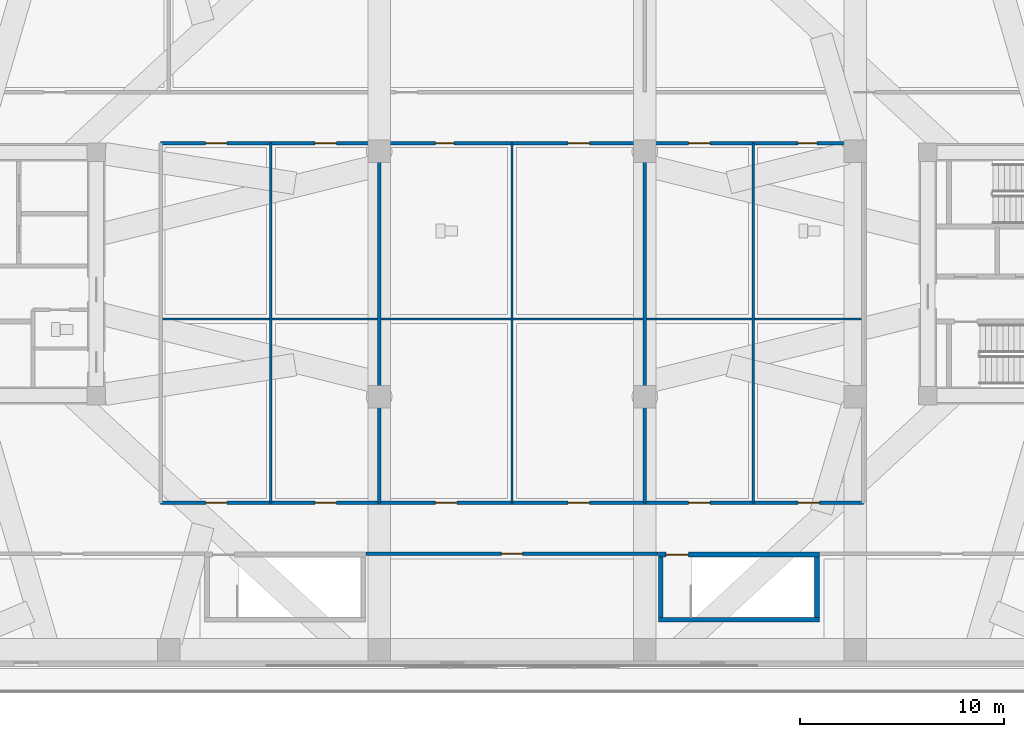
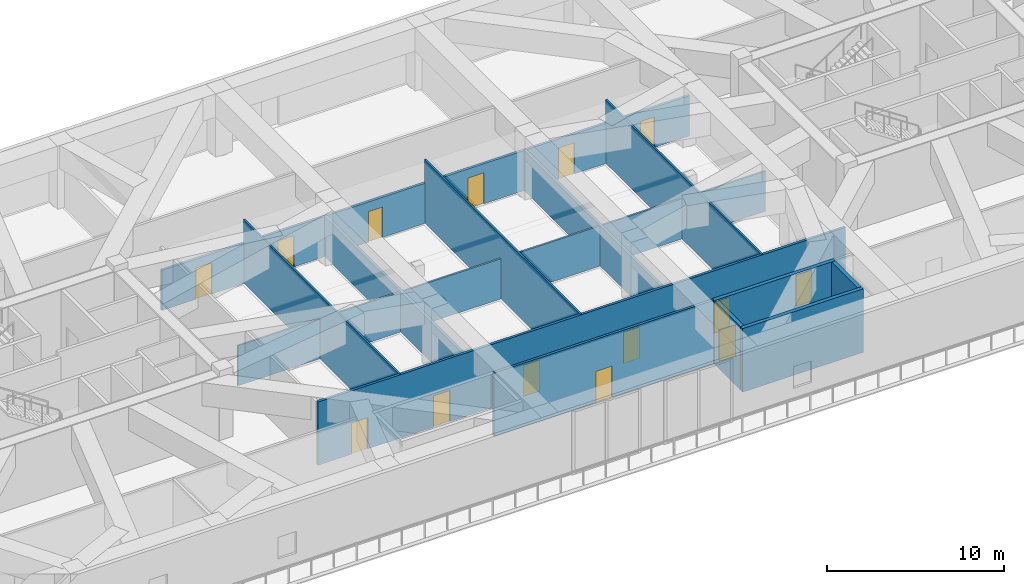
# One storey, part 8 of 21: 14 doors, 13 walls, 14 openings.
"""IFC4 building model written with IfcOpenShell, lengths in metres."""

from ifc_helpers import new_model, si_unit, direction, frame, frame_2d, origin, place, context, subcontext, project, spatial, rectangle, extrude, source, transform, mapped, material, layer, layer_set, type_object, type_shapes, element, fill, save


model = new_model("IFC4")

# Units and contexts
model_context = context("Model", 3, precision=1e-05, world=origin(), true_north=direction((0.0, 1.0)))
body_context = subcontext(model_context, "Body", "Model", "MODEL_VIEW")
ifc_project = project(units=[si_unit("LENGTHUNIT", "METRE"), si_unit("AREAUNIT", "SQUARE_METRE"), si_unit("VOLUMEUNIT", "CUBIC_METRE"), si_unit("PLANEANGLEUNIT", "RADIAN"), si_unit("MASSUNIT", "GRAM", prefix="KILO")], contexts=[model_context])

# Site, building, storey
site_placement = place(None, origin())
site = spatial("IfcSite", under=ifc_project, at=site_placement, CompositionType="ELEMENT")
building_placement = place(site_placement, origin())
building = spatial("IfcBuilding", under=site, at=building_placement, Name="Norrkilde Senior Care Towers", CompositionType="ELEMENT")
storey_placement = place(building_placement, frame((0.0, 0.0, 16.800048828125)))
storey = spatial("IfcBuildingStorey", under=building, at=storey_placement, Name="L04", CompositionType="ELEMENT", Elevation=16.800048828125)

# Wall, opening, door
ifc_material_1 = material(Name="Concrete C45/55", Category="concrete")
ifc_layer_1 = layer(ifc_material_1, 0.239990234375)
ifc_layer_set_1 = layer_set([ifc_layer_1], Name="Concrete C45/55")
wall_type_1 = type_object("IfcWallType", Name="Shaft and Stair Enclosure Wall 240", PredefinedType="PARTITIONING", material=ifc_layer_set_1)
shared_shape_1 = source(origin(), body_context, "Body", "SweptSolid", [
    extrude(rectangle(XDim=7.880126953125, YDim=0.239990234375, at=frame_2d((3.93994140625, 0.0))), origin(), (0.0, 0.0, 1.0), 4.3798828125),
])
wall_1_placement = place(storey_placement, frame((7.159912109375, -13.72998046875, 0.0), z_axis=(0.0, 0.0, 1.0), x_axis=(1.0, 0.0, 0.0)))
wall_1 = element("IfcWall", 1, at=wall_1_placement, inside=storey, type_object=wall_type_1, Name="WL-INT-L04-STP2-N", PredefinedType="PARTITIONING", context=body_context, shape_type="MappedRepresentation", body=[
    mapped(shared_shape_1, transform((0.0, 0.0, 0.0), x_axis=(1.0, 0.0, 0.0), y_axis=(0.0, 1.0, 0.0), z_axis=(0.0, 0.0, 1.0), scale=1.0)),
])
opening_1_placement = place(wall_1_placement, frame((0.3701171875, 0.0, 0.0)))
opening_1 = element("IfcOpeningElement", 2, at=opening_1_placement, cuts=wall_1, Name="Opening D-03", PredefinedType="OPENING", context=body_context, shape_type="SweptSolid", body=[
    extrude(rectangle(XDim=1.10009765625, YDim=2.14990234375, at=frame_2d((0.550048828125, 1.074951171875))), frame((0.0, 0.1298828125, 0.0), z_axis=(0.0, -1.0, 0.0), x_axis=(1.0, 0.0, 0.0)), (0.0, 0.0, 1.0), 0.260009765625),
])
ifc_material_2 = material(Name="Galvanised Painted Steel", Category="steel")
door_type_1 = type_object("IfcDoorType", Name="Stairwell Protected Fire Door 1100x2150", OperationType="NOTDEFINED", PredefinedType="DOOR", material=ifc_material_2)
shared_shape_2 = source(origin(), body_context, "Body", "SweptSolid", [
    extrude(rectangle(XDim=1.10009765625, YDim=2.14990234375, at=frame_2d((0.550048828125, 1.074951171875))), frame((0.0, 0.02490234375, 0.0), z_axis=(0.0, -1.0, 0.0), x_axis=(1.0, 0.0, 0.0)), (0.0, 0.0, 1.0), 0.050048828125),
])
type_shapes(door_type_1, [shared_shape_2])
door_1_placement = place(opening_1_placement, origin())
door_1 = element("IfcDoor", 3, at=door_1_placement, inside=storey, type_object=door_type_1, Name="L04 Podium Stair P2 Door", OperationType="SINGLE_SWING_LEFT", OverallHeight=2.14990234375, OverallWidth=1.10009765625, PredefinedType="DOOR", context=body_context, shape_type="MappedRepresentation", body=[
    mapped(shared_shape_2, transform((0.0, 0.0, 0.0), x_axis=(1.0, 0.0, 0.0), y_axis=(0.0, 1.0, 0.0), z_axis=(0.0, 0.0, 1.0), scale=1.0)),
])
fill(opening_1, door_1)

# Walls
wall_2_placement = place(storey_placement, frame((7.159912109375, -16.919921875, 0.0), z_axis=(0.0, 0.0, 1.0), x_axis=(1.0, 0.0, 0.0)))
element("IfcWall", 4, at=wall_2_placement, inside=storey, type_object=wall_type_1, Name="WL-INT-L04-STP2-S", PredefinedType="PARTITIONING", context=body_context, shape_type="MappedRepresentation", body=[
    mapped(shared_shape_1, transform((0.0, 0.0, 0.0), x_axis=(1.0, 0.0, 0.0), y_axis=(0.0, 1.0, 0.0), z_axis=(0.0, 0.0, 1.0), scale=1.0)),
])
shared_shape_3 = source(origin(), body_context, "Body", "SweptSolid", [
    extrude(rectangle(XDim=2.949951171875, YDim=0.239990234375, at=frame_2d((1.47509765625, 0.0))), origin(), (0.0, 0.0, 1.0), 4.3798828125),
])
type_shapes(wall_type_1, [shared_shape_1, shared_shape_3])
for number, where, z_axis, x_axis, name in (
    (5, (7.280029296875, -16.800048828125, 0.0), (0.0, 0.0, 1.0), (0.0, 1.0, 0.0), "WL-INT-L04-STP2-W"),
    (6, (14.919921875, -16.800048828125, 0.0), (0.0, 0.0, 1.0), (0.0, 1.0, 0.0), "WL-INT-L04-STP2-E"),
):
    element("IfcWall", number, at=place(storey_placement, frame(where, z_axis=z_axis, x_axis=x_axis)), inside=storey, type_object=wall_type_1, Name=name, PredefinedType="PARTITIONING", context=body_context, shape_type="MappedRepresentation", body=[
        mapped(shared_shape_3, transform((0.0, 0.0, 0.0), x_axis=(1.0, 0.0, 0.0), y_axis=(0.0, 1.0, 0.0), z_axis=(0.0, 0.0, 1.0), scale=1.0)),
    ])

# Wall, openings, doors
ifc_material_3 = material(Name="Gypsum Acoustic Board")
ifc_layer_2 = layer(ifc_material_3, 0.1650390625)
ifc_layer_set_2 = layer_set([ifc_layer_2], Name="Gypsum Acoustic Board")
wall_type_2 = type_object("IfcWallType", Name="Corridor Rated Partition 165", PredefinedType="PARTITIONING", material=ifc_layer_set_2)
shared_shape_4 = source(origin(), body_context, "Body", "SweptSolid", [
    extrude(rectangle(XDim=34.39990234375, YDim=0.1650390625, at=frame_2d((17.199951171875, 0.0))), origin(), (0.0, 0.0, 1.0), 4.364990234375),
])
wall_3_placement = place(storey_placement, frame((-17.199951171875, -11.199951171875, 0.0), z_axis=(0.0, 0.0, 1.0), x_axis=(1.0, 0.0, 0.0)))
wall_3 = element("IfcWall", 7, at=wall_3_placement, inside=storey, type_object=wall_type_2, Name="WL-INT-L04-POD-CS", PredefinedType="PARTITIONING", context=body_context, shape_type="MappedRepresentation", body=[
    mapped(shared_shape_4, transform((0.0, 0.0, 0.0), x_axis=(1.0, 0.0, 0.0), y_axis=(0.0, 1.0, 0.0), z_axis=(0.0, 0.0, 1.0), scale=1.0)),
])
opening_2_placement = place(wall_3_placement, frame((2.199951171875, 0.0, 0.0)))
opening_2 = element("IfcOpeningElement", 8, at=opening_2_placement, cuts=wall_3, Name="Opening D-06", PredefinedType="OPENING", context=body_context, shape_type="SweptSolid", body=[
    extrude(rectangle(XDim=1.050048828125, YDim=2.14990234375, at=frame_2d((0.52490234375, 1.074951171875))), frame((0.0, 0.092529296875, 0.0), z_axis=(0.0, -1.0, 0.0), x_axis=(1.0, 0.0, 0.0)), (0.0, 0.0, 1.0), 0.18505859375),
])
opening_3_placement = place(wall_3_placement, frame((7.550048828125, 0.0, 0.0)))
opening_3 = element("IfcOpeningElement", 9, at=opening_3_placement, cuts=wall_3, Name="Opening D-06", PredefinedType="OPENING", context=body_context, shape_type="SweptSolid", body=[
    extrude(rectangle(XDim=1.050048828125, YDim=2.14990234375, at=frame_2d((0.52490234375, 1.074951171875))), frame((0.0, 0.092529296875, 0.0), z_axis=(0.0, -1.0, 0.0), x_axis=(1.0, 0.0, 0.0)), (0.0, 0.0, 1.0), 0.18505859375),
])
opening_4_placement = place(wall_3_placement, frame((13.449951171875, 0.0, 0.0)))
opening_4 = element("IfcOpeningElement", 10, at=opening_4_placement, cuts=wall_3, Name="Opening D-06", PredefinedType="OPENING", context=body_context, shape_type="SweptSolid", body=[
    extrude(rectangle(XDim=1.050048828125, YDim=2.14990234375, at=frame_2d((0.52490234375, 1.074951171875))), frame((0.0, 0.092529296875, 0.0), z_axis=(0.0, -1.0, 0.0), x_axis=(1.0, 0.0, 0.0)), (0.0, 0.0, 1.0), 0.18505859375),
])
opening_5_placement = place(wall_3_placement, frame((19.949951171875, 0.0, 0.0)))
opening_5 = element("IfcOpeningElement", 11, at=opening_5_placement, cuts=wall_3, Name="Opening D-06", PredefinedType="OPENING", context=body_context, shape_type="SweptSolid", body=[
    extrude(rectangle(XDim=1.050048828125, YDim=2.14990234375, at=frame_2d((0.52490234375, 1.074951171875))), frame((0.0, 0.092529296875, 0.0), z_axis=(0.0, -1.0, 0.0), x_axis=(1.0, 0.0, 0.0)), (0.0, 0.0, 1.0), 0.18505859375),
])
opening_6_placement = place(wall_3_placement, frame((25.85009765625, 0.0, 0.0)))
opening_6 = element("IfcOpeningElement", 12, at=opening_6_placement, cuts=wall_3, Name="Opening D-06", PredefinedType="OPENING", context=body_context, shape_type="SweptSolid", body=[
    extrude(rectangle(XDim=1.050048828125, YDim=2.14990234375, at=frame_2d((0.52490234375, 1.074951171875))), frame((0.0, 0.092529296875, 0.0), z_axis=(0.0, -1.0, 0.0), x_axis=(1.0, 0.0, 0.0)), (0.0, 0.0, 1.0), 0.18505859375),
])
opening_7_placement = place(wall_3_placement, frame((31.199951171875, 0.0, 0.0)))
opening_7 = element("IfcOpeningElement", 13, at=opening_7_placement, cuts=wall_3, Name="Opening D-06", PredefinedType="OPENING", context=body_context, shape_type="SweptSolid", body=[
    extrude(rectangle(XDim=1.050048828125, YDim=2.14990234375, at=frame_2d((0.52490234375, 1.074951171875))), frame((0.0, 0.092529296875, 0.0), z_axis=(0.0, -1.0, 0.0), x_axis=(1.0, 0.0, 0.0)), (0.0, 0.0, 1.0), 0.18505859375),
])
ifc_material_4 = material(Name="Nordic Ash Timber", Category="wood")
door_type_2 = type_object("IfcDoorType", Name="Apartment Entrance Fire Door 1050x2150", OperationType="NOTDEFINED", PredefinedType="DOOR", material=ifc_material_4)
shared_shape_5 = source(origin(), body_context, "Body", "SweptSolid", [
    extrude(rectangle(XDim=1.050048828125, YDim=2.14990234375, at=frame_2d((0.52490234375, 1.074951171875))), frame((0.0, 0.02490234375, 0.0), z_axis=(0.0, -1.0, 0.0), x_axis=(1.0, 0.0, 0.0)), (0.0, 0.0, 1.0), 0.050048828125),
])
type_shapes(door_type_2, [shared_shape_5])
door_2_placement = place(opening_2_placement, origin())
door_2 = element("IfcDoor", 14, at=door_2_placement, inside=storey, type_object=door_type_2, Name="L04 Occupational Therapy Kitchen Door", OperationType="SINGLE_SWING_LEFT", OverallHeight=2.14990234375, OverallWidth=1.050048828125, PredefinedType="DOOR", context=body_context, shape_type="MappedRepresentation", body=[
    mapped(shared_shape_5, transform((0.0, 0.0, 0.0), x_axis=(1.0, 0.0, 0.0), y_axis=(0.0, 1.0, 0.0), z_axis=(0.0, 0.0, 1.0), scale=1.0)),
])
fill(opening_2, door_2)
door_3_placement = place(opening_3_placement, origin())
door_3 = element("IfcDoor", 15, at=door_3_placement, inside=storey, type_object=door_type_2, Name="L04 Senior Communal Dining Salon Door", OperationType="SINGLE_SWING_LEFT", OverallHeight=2.14990234375, OverallWidth=1.050048828125, PredefinedType="DOOR", context=body_context, shape_type="MappedRepresentation", body=[
    mapped(shared_shape_5, transform((0.0, 0.0, 0.0), x_axis=(1.0, 0.0, 0.0), y_axis=(0.0, 1.0, 0.0), z_axis=(0.0, 0.0, 1.0), scale=1.0)),
])
fill(opening_3, door_3)
door_4_placement = place(opening_4_placement, origin())
door_4 = element("IfcDoor", 16, at=door_4_placement, inside=storey, type_object=door_type_2, Name="L04 Case Management Office Door", OperationType="SINGLE_SWING_LEFT", OverallHeight=2.14990234375, OverallWidth=1.050048828125, PredefinedType="DOOR", context=body_context, shape_type="MappedRepresentation", body=[
    mapped(shared_shape_5, transform((0.0, 0.0, 0.0), x_axis=(1.0, 0.0, 0.0), y_axis=(0.0, 1.0, 0.0), z_axis=(0.0, 0.0, 1.0), scale=1.0)),
])
fill(opening_4, door_4)
door_5_placement = place(opening_5_placement, origin())
door_5 = element("IfcDoor", 17, at=door_5_placement, inside=storey, type_object=door_type_2, Name="L04 Art and Music Therapy Lounge Door", OperationType="SINGLE_SWING_LEFT", OverallHeight=2.14990234375, OverallWidth=1.050048828125, PredefinedType="DOOR", context=body_context, shape_type="MappedRepresentation", body=[
    mapped(shared_shape_5, transform((0.0, 0.0, 0.0), x_axis=(1.0, 0.0, 0.0), y_axis=(0.0, 1.0, 0.0), z_axis=(0.0, 0.0, 1.0), scale=1.0)),
])
fill(opening_5, door_5)
door_6_placement = place(opening_6_placement, origin())
door_6 = element("IfcDoor", 18, at=door_6_placement, inside=storey, type_object=door_type_2, Name="L04 Cognitive Wellness Lounge Door", OperationType="SINGLE_SWING_LEFT", OverallHeight=2.14990234375, OverallWidth=1.050048828125, PredefinedType="DOOR", context=body_context, shape_type="MappedRepresentation", body=[
    mapped(shared_shape_5, transform((0.0, 0.0, 0.0), x_axis=(1.0, 0.0, 0.0), y_axis=(0.0, 1.0, 0.0), z_axis=(0.0, 0.0, 1.0), scale=1.0)),
])
fill(opening_6, door_6)
door_7_placement = place(opening_7_placement, origin())
door_7 = element("IfcDoor", 19, at=door_7_placement, inside=storey, type_object=door_type_2, Name="L04 Medical Records Office Door", OperationType="SINGLE_SWING_LEFT", OverallHeight=2.14990234375, OverallWidth=1.050048828125, PredefinedType="DOOR", context=body_context, shape_type="MappedRepresentation", body=[
    mapped(shared_shape_5, transform((0.0, 0.0, 0.0), x_axis=(1.0, 0.0, 0.0), y_axis=(0.0, 1.0, 0.0), z_axis=(0.0, 0.0, 1.0), scale=1.0)),
])
fill(opening_7, door_7)

shared_shape_6 = source(origin(), body_context, "Body", "SweptSolid", [
    extrude(rectangle(XDim=34.39990234375, YDim=0.1650390625, at=frame_2d((17.199951171875, 0.0))), origin(), (0.0, 0.0, 1.0), 2.764892578125),
])
wall_4_placement = place(storey_placement, frame((-17.199951171875, 6.39990234375, 0.0), z_axis=(0.0, 0.0, 1.0), x_axis=(1.0, 0.0, 0.0)))
wall_4 = element("IfcWall", 20, at=wall_4_placement, inside=storey, type_object=wall_type_2, Name="WL-INT-L04-POD-CN", PredefinedType="PARTITIONING", context=body_context, shape_type="MappedRepresentation", body=[
    mapped(shared_shape_6, transform((0.0, 0.0, 0.0), x_axis=(1.0, 0.0, 0.0), y_axis=(0.0, 1.0, 0.0), z_axis=(0.0, 0.0, 1.0), scale=1.0)),
])
opening_8_placement = place(wall_4_placement, frame((2.199951171875, 0.0, 0.0)))
opening_8 = element("IfcOpeningElement", 21, at=opening_8_placement, cuts=wall_4, Name="Opening D-06", PredefinedType="OPENING", context=body_context, shape_type="SweptSolid", body=[
    extrude(rectangle(XDim=1.050048828125, YDim=2.14990234375, at=frame_2d((0.52490234375, 1.074951171875))), frame((0.0, 0.092529296875, 0.0), z_axis=(0.0, -1.0, 0.0), x_axis=(1.0, 0.0, 0.0)), (0.0, 0.0, 1.0), 0.18505859375),
])
opening_9_placement = place(wall_4_placement, frame((7.550048828125, 0.0, 0.0)))
opening_9 = element("IfcOpeningElement", 22, at=opening_9_placement, cuts=wall_4, Name="Opening D-06", PredefinedType="OPENING", context=body_context, shape_type="SweptSolid", body=[
    extrude(rectangle(XDim=1.050048828125, YDim=2.14990234375, at=frame_2d((0.52490234375, 1.074951171875))), frame((0.0, 0.092529296875, 0.0), z_axis=(0.0, -1.0, 0.0), x_axis=(1.0, 0.0, 0.0)), (0.0, 0.0, 1.0), 0.18505859375),
])
opening_10_placement = place(wall_4_placement, frame((13.449951171875, 0.0, 0.0)))
opening_10 = element("IfcOpeningElement", 23, at=opening_10_placement, cuts=wall_4, Name="Opening D-08", PredefinedType="OPENING", context=body_context, shape_type="SweptSolid", body=[
    extrude(rectangle(XDim=0.919921875, YDim=2.10009765625, at=frame_2d((0.4599609375, 1.050048828125))), frame((0.0, 0.092529296875, 0.0), z_axis=(0.0, -1.0, 0.0), x_axis=(1.0, 0.0, 0.0)), (0.0, 0.0, 1.0), 0.18505859375),
])
opening_11_placement = place(wall_4_placement, frame((19.949951171875, 0.0, 0.0)))
opening_11 = element("IfcOpeningElement", 24, at=opening_11_placement, cuts=wall_4, Name="Opening D-06", PredefinedType="OPENING", context=body_context, shape_type="SweptSolid", body=[
    extrude(rectangle(XDim=1.050048828125, YDim=2.14990234375, at=frame_2d((0.52490234375, 1.074951171875))), frame((0.0, 0.092529296875, 0.0), z_axis=(0.0, -1.0, 0.0), x_axis=(1.0, 0.0, 0.0)), (0.0, 0.0, 1.0), 0.18505859375),
])
opening_12_placement = place(wall_4_placement, frame((25.85009765625, 0.0, 0.0)))
opening_12 = element("IfcOpeningElement", 25, at=opening_12_placement, cuts=wall_4, Name="Opening D-06", PredefinedType="OPENING", context=body_context, shape_type="SweptSolid", body=[
    extrude(rectangle(XDim=1.050048828125, YDim=2.14990234375, at=frame_2d((0.52490234375, 1.074951171875))), frame((0.0, 0.092529296875, 0.0), z_axis=(0.0, -1.0, 0.0), x_axis=(1.0, 0.0, 0.0)), (0.0, 0.0, 1.0), 0.18505859375),
])
opening_13_placement = place(wall_4_placement, frame((31.199951171875, 0.0, 0.0)))
opening_13 = element("IfcOpeningElement", 26, at=opening_13_placement, cuts=wall_4, Name="Opening D-08", PredefinedType="OPENING", context=body_context, shape_type="SweptSolid", body=[
    extrude(rectangle(XDim=0.919921875, YDim=2.10009765625, at=frame_2d((0.4599609375, 1.050048828125))), frame((0.0, 0.092529296875, 0.0), z_axis=(0.0, -1.0, 0.0), x_axis=(1.0, 0.0, 0.0)), (0.0, 0.0, 1.0), 0.18505859375),
])
door_type_3 = type_object("IfcDoorType", Name="Accessible Wet Room Door 920x2100", OperationType="NOTDEFINED", PredefinedType="DOOR", material=ifc_material_4)
shared_shape_7 = source(origin(), body_context, "Body", "SweptSolid", [
    extrude(rectangle(XDim=0.919921875, YDim=2.10009765625, at=frame_2d((0.4599609375, 1.050048828125))), frame((0.0, 0.02490234375, 0.0), z_axis=(0.0, -1.0, 0.0), x_axis=(1.0, 0.0, 0.0)), (0.0, 0.0, 1.0), 0.050048828125),
])
type_shapes(door_type_3, [shared_shape_7])
door_8_placement = place(opening_10_placement, frame((0.919921875, 0.0, 0.0), z_axis=(0.0, 0.0, 1.0), x_axis=(-1.0, 0.0, 0.0)))
door_8 = element("IfcDoor", 27, at=door_8_placement, inside=storey, type_object=door_type_3, Name="L04 Barrier-Free Accessible Toilets Door", OperationType="SINGLE_SWING_RIGHT", OverallHeight=2.10009765625, OverallWidth=0.919921875, PredefinedType="DOOR", context=body_context, shape_type="MappedRepresentation", body=[
    mapped(shared_shape_7, transform((0.0, 0.0, 0.0), x_axis=(1.0, 0.0, 0.0), y_axis=(0.0, 1.0, 0.0), z_axis=(0.0, 0.0, 1.0), scale=1.0)),
])
fill(opening_10, door_8)
door_9_placement = place(opening_13_placement, frame((0.919921875, 0.0, 0.0), z_axis=(0.0, 0.0, 1.0), x_axis=(-1.0, 0.0, 0.0)))
door_9 = element("IfcDoor", 28, at=door_9_placement, inside=storey, type_object=door_type_3, Name="L04 Public and Staff Restrooms Door", OperationType="SINGLE_SWING_RIGHT", OverallHeight=2.10009765625, OverallWidth=0.919921875, PredefinedType="DOOR", context=body_context, shape_type="MappedRepresentation", body=[
    mapped(shared_shape_7, transform((0.0, 0.0, 0.0), x_axis=(1.0, 0.0, 0.0), y_axis=(0.0, 1.0, 0.0), z_axis=(0.0, 0.0, 1.0), scale=1.0)),
])
fill(opening_13, door_9)
door_10_placement = place(opening_8_placement, frame((1.050048828125, 0.0, 0.0), z_axis=(0.0, 0.0, 1.0), x_axis=(-1.0, 0.0, 0.0)))
door_10 = element("IfcDoor", 29, at=door_10_placement, inside=storey, type_object=door_type_2, Name="L04 Memory Day-Care Lounge Door", OperationType="SINGLE_SWING_RIGHT", OverallHeight=2.14990234375, OverallWidth=1.050048828125, PredefinedType="DOOR", context=body_context, shape_type="MappedRepresentation", body=[
    mapped(shared_shape_5, transform((0.0, 0.0, 0.0), x_axis=(1.0, 0.0, 0.0), y_axis=(0.0, 1.0, 0.0), z_axis=(0.0, 0.0, 1.0), scale=1.0)),
])
fill(opening_8, door_10)
door_11_placement = place(opening_9_placement, frame((1.050048828125, 0.0, 0.0), z_axis=(0.0, 0.0, 1.0), x_axis=(-1.0, 0.0, 0.0)))
door_11 = element("IfcDoor", 30, at=door_11_placement, inside=storey, type_object=door_type_2, Name="L04 Geriatric Audiology Clinic Door", OperationType="SINGLE_SWING_RIGHT", OverallHeight=2.14990234375, OverallWidth=1.050048828125, PredefinedType="DOOR", context=body_context, shape_type="MappedRepresentation", body=[
    mapped(shared_shape_5, transform((0.0, 0.0, 0.0), x_axis=(1.0, 0.0, 0.0), y_axis=(0.0, 1.0, 0.0), z_axis=(0.0, 0.0, 1.0), scale=1.0)),
])
fill(opening_9, door_11)
door_12_placement = place(opening_11_placement, frame((1.050048828125, 0.0, 0.0), z_axis=(0.0, 0.0, 1.0), x_axis=(-1.0, 0.0, 0.0)))
door_12 = element("IfcDoor", 31, at=door_12_placement, inside=storey, type_object=door_type_2, Name="L04 Physiotherapy Gait Lab Door", OperationType="SINGLE_SWING_RIGHT", OverallHeight=2.14990234375, OverallWidth=1.050048828125, PredefinedType="DOOR", context=body_context, shape_type="MappedRepresentation", body=[
    mapped(shared_shape_5, transform((0.0, 0.0, 0.0), x_axis=(1.0, 0.0, 0.0), y_axis=(0.0, 1.0, 0.0), z_axis=(0.0, 0.0, 1.0), scale=1.0)),
])
fill(opening_11, door_12)
door_13_placement = place(opening_12_placement, frame((1.050048828125, 0.0, 0.0), z_axis=(0.0, 0.0, 1.0), x_axis=(-1.0, 0.0, 0.0)))
door_13 = element("IfcDoor", 32, at=door_13_placement, inside=storey, type_object=door_type_2, Name="L04 Nutrition Consultation Office Door", OperationType="SINGLE_SWING_RIGHT", OverallHeight=2.14990234375, OverallWidth=1.050048828125, PredefinedType="DOOR", context=body_context, shape_type="MappedRepresentation", body=[
    mapped(shared_shape_5, transform((0.0, 0.0, 0.0), x_axis=(1.0, 0.0, 0.0), y_axis=(0.0, 1.0, 0.0), z_axis=(0.0, 0.0, 1.0), scale=1.0)),
])
fill(opening_12, door_13)

# Walls
ifc_layer_3 = layer(ifc_material_3, 0.18994140625)
ifc_layer_set_3 = layer_set([ifc_layer_3], Name="Gypsum Acoustic Board")
wall_type_3 = type_object("IfcWallType", Name="Unit Demising Acoustic Wall 190", PredefinedType="PARTITIONING", material=ifc_layer_set_3)
shared_shape_8 = source(origin(), body_context, "Body", "SweptSolid", [
    extrude(rectangle(XDim=17.599853515625, YDim=0.18994140625, at=frame_2d((8.7998046875, 0.0))), origin(), (0.0, 0.0, 1.0), 2.764892578125),
])
type_shapes(wall_type_3, [shared_shape_8])
for number, where, z_axis, x_axis, name in (
    (33, (-6.5, -11.199951171875, 0.0), (0.0, 0.0, 1.0), (0.0, 1.0, 0.0), "WL-INT-L04-POD-M1"),
    (34, (6.5, -11.199951171875, 0.0), (0.0, 0.0, 1.0), (0.0, 1.0, 0.0), "WL-INT-L04-POD-M2"),
):
    element("IfcWall", number, at=place(storey_placement, frame(where, z_axis=z_axis, x_axis=x_axis)), inside=storey, type_object=wall_type_3, Name=name, PredefinedType="PARTITIONING", context=body_context, shape_type="MappedRepresentation", body=[
        mapped(shared_shape_8, transform((0.0, 0.0, 0.0), x_axis=(1.0, 0.0, 0.0), y_axis=(0.0, 1.0, 0.0), z_axis=(0.0, 0.0, 1.0), scale=1.0)),
    ])
ifc_layer_4 = layer(ifc_material_3, 0.114990234375)
ifc_layer_set_4 = layer_set([ifc_layer_4], Name="Gypsum Acoustic Board")
wall_type_4 = type_object("IfcWallType", Name="Internal Room Partition 115", PredefinedType="PARTITIONING", material=ifc_layer_set_4)
shared_shape_9 = source(origin(), body_context, "Body", "SweptSolid", [
    extrude(rectangle(XDim=17.599853515625, YDim=0.114990234375, at=frame_2d((8.7998046875, 0.0))), origin(), (0.0, 0.0, 1.0), 4.364990234375),
])
for number, where, z_axis, x_axis, name in (
    (35, (-11.800048828125, -11.199951171875, 0.0), (0.0, 0.0, 1.0), (0.0, 1.0, 0.0), "WL-INT-L04-POD-MV-12"),
    (36, (0.0, -11.199951171875, 0.0), (0.0, 0.0, 1.0), (0.0, 1.0, 0.0), "WL-INT-L04-POD-MV+0"),
    (37, (11.800048828125, -11.199951171875, 0.0), (0.0, 0.0, 1.0), (0.0, 1.0, 0.0), "WL-INT-L04-POD-MV+12"),
):
    element("IfcWall", number, at=place(storey_placement, frame(where, z_axis=z_axis, x_axis=x_axis)), inside=storey, type_object=wall_type_4, Name=name, PredefinedType="PARTITIONING", context=body_context, shape_type="MappedRepresentation", body=[
        mapped(shared_shape_9, transform((0.0, 0.0, 0.0), x_axis=(1.0, 0.0, 0.0), y_axis=(0.0, 1.0, 0.0), z_axis=(0.0, 0.0, 1.0), scale=1.0)),
    ])
shared_shape_10 = source(origin(), body_context, "Body", "SweptSolid", [
    extrude(rectangle(XDim=34.39990234375, YDim=0.114990234375, at=frame_2d((17.199951171875, 0.0))), origin(), (0.0, 0.0, 1.0), 2.764892578125),
])
type_shapes(wall_type_4, [shared_shape_9, shared_shape_10])
wall_5_placement = place(storey_placement, frame((-17.199951171875, -2.199951171875, 0.0), z_axis=(0.0, 0.0, 1.0), x_axis=(1.0, 0.0, 0.0)))
element("IfcWall", 38, at=wall_5_placement, inside=storey, type_object=wall_type_4, Name="WL-INT-L04-POD-MH", PredefinedType="PARTITIONING", context=body_context, shape_type="MappedRepresentation", body=[
    mapped(shared_shape_10, transform((0.0, 0.0, 0.0), x_axis=(1.0, 0.0, 0.0), y_axis=(0.0, 1.0, 0.0), z_axis=(0.0, 0.0, 1.0), scale=1.0)),
])

# Wall, opening, door
shared_shape_11 = source(origin(), body_context, "Body", "SweptSolid", [
    extrude(rectangle(XDim=14.2998046875, YDim=0.1650390625, at=frame_2d((7.14990234375, 0.0))), origin(), (0.0, 0.0, 1.0), 4.364990234375),
])
type_shapes(wall_type_2, [shared_shape_4, shared_shape_6, shared_shape_11])
wall_6_placement = place(storey_placement, frame((-7.14990234375, -13.699951171875, 0.0), z_axis=(0.0, 0.0, 1.0), x_axis=(1.0, 0.0, 0.0)))
wall_6 = element("IfcWall", 39, at=wall_6_placement, inside=storey, type_object=wall_type_2, Name="WL-INT-L04-POD-SPM", PredefinedType="PARTITIONING", context=body_context, shape_type="MappedRepresentation", body=[
    mapped(shared_shape_11, transform((0.0, 0.0, 0.0), x_axis=(1.0, 0.0, 0.0), y_axis=(0.0, 1.0, 0.0), z_axis=(0.0, 0.0, 1.0), scale=1.0)),
])
opening_14_placement = place(wall_6_placement, frame((6.625, 0.0, 0.0)))
opening_14 = element("IfcOpeningElement", 40, at=opening_14_placement, cuts=wall_6, Name="Opening D-06", PredefinedType="OPENING", context=body_context, shape_type="SweptSolid", body=[
    extrude(rectangle(XDim=1.050048828125, YDim=2.14990234375, at=frame_2d((0.52490234375, 1.074951171875))), frame((0.0, 0.092529296875, 0.0), z_axis=(0.0, -1.0, 0.0), x_axis=(1.0, 0.0, 0.0)), (0.0, 0.0, 1.0), 0.18505859375),
])
door_14_placement = place(opening_14_placement, frame((1.050048828125, 0.0, 0.0), z_axis=(0.0, 0.0, 1.0), x_axis=(-1.0, 0.0, 0.0)))
door_14 = element("IfcDoor", 41, at=door_14_placement, inside=storey, type_object=door_type_2, Name="L04 South Suite SMID Door", OperationType="SINGLE_SWING_LEFT", OverallHeight=2.14990234375, OverallWidth=1.050048828125, PredefinedType="DOOR", context=body_context, shape_type="MappedRepresentation", body=[
    mapped(shared_shape_5, transform((0.0, 0.0, 0.0), x_axis=(1.0, 0.0, 0.0), y_axis=(0.0, 1.0, 0.0), z_axis=(0.0, 0.0, 1.0), scale=1.0)),
])
fill(opening_14, door_14)

save(model, "model.ifc")
